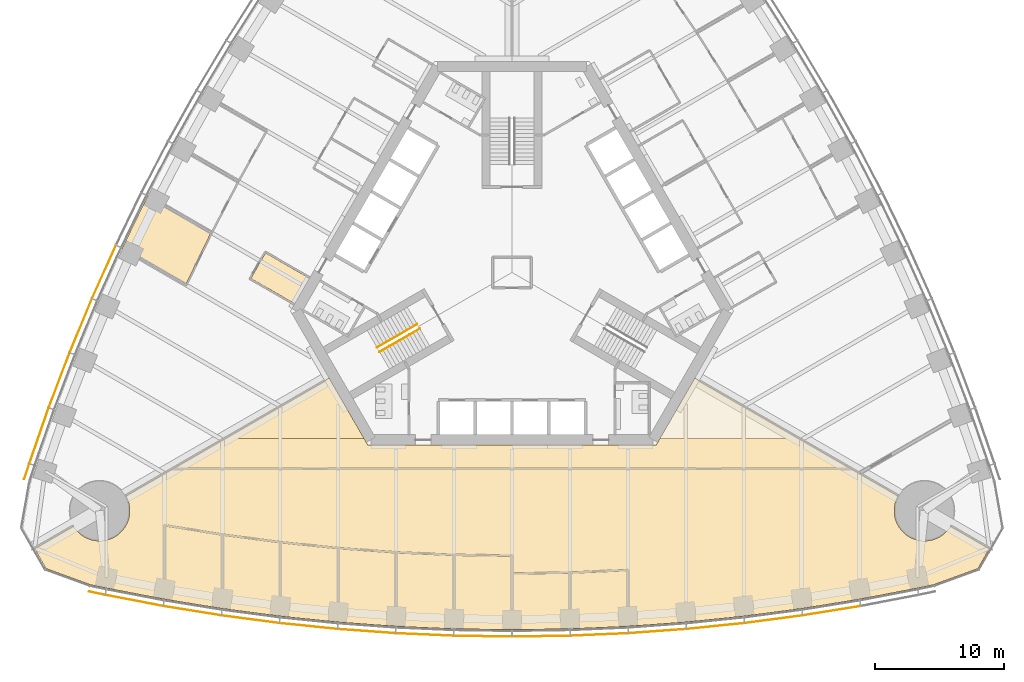
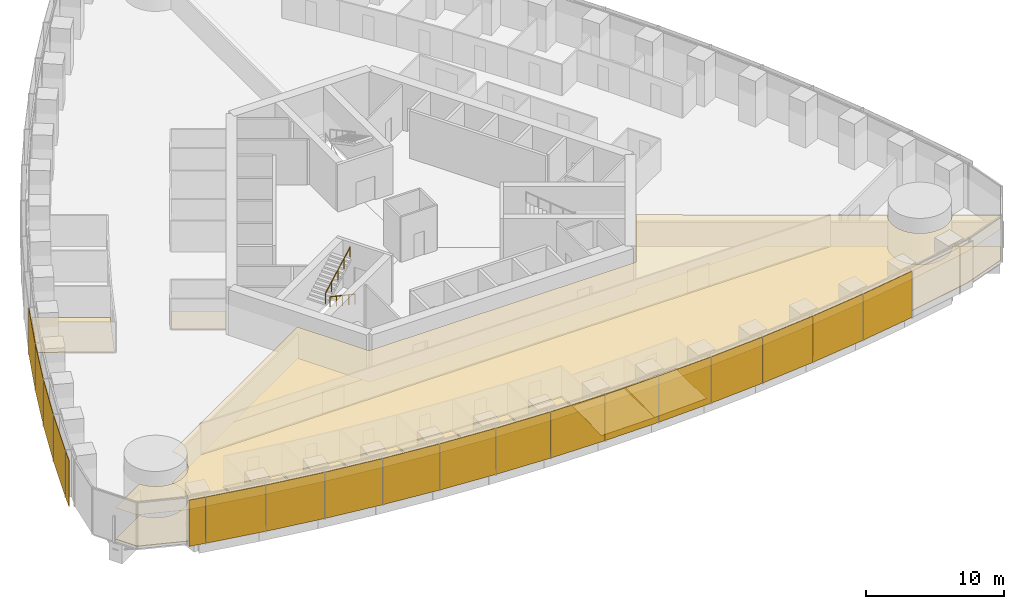
# One storey, part 14 of 18: 19 shading devices, 14 coverings, 2 railings.
"""IFC4 building model written with IfcOpenShell, lengths in metres."""

from ifc_helpers import new_model, si_unit, direction, frame, origin, origin_2d, place, context, subcontext, project, spatial, polyline, rectangle, circle, outline, extrude, material, layer, layer_set, type_object, element, save


model = new_model("IFC4")

# Units and contexts
model_context = context("Model", 3, precision=1e-05, world=origin(), true_north=direction((0.0, 1.0)))
body_context = subcontext(model_context, "Body", "Model", "MODEL_VIEW")
ifc_project = project(units=[si_unit("LENGTHUNIT", "METRE"), si_unit("AREAUNIT", "SQUARE_METRE"), si_unit("VOLUMEUNIT", "CUBIC_METRE"), si_unit("PLANEANGLEUNIT", "RADIAN"), si_unit("MASSUNIT", "GRAM", prefix="KILO")], contexts=[model_context])

# Site, building, storey
site_placement = place(None, origin())
site = spatial("IfcSite", under=ifc_project, at=site_placement, CompositionType="ELEMENT")
building_placement = place(site_placement, origin())
building = spatial("IfcBuilding", under=site, at=building_placement, Name="Trefoil Bronze Tower", CompositionType="ELEMENT")
storey_placement = place(building_placement, frame((0.0, 0.0, 33.300048828125)))
storey = spatial("IfcBuildingStorey", under=building, at=storey_placement, Name="L07", CompositionType="ELEMENT", Elevation=33.300048828125)

# Shading devices
ifc_material_1 = material(Name="Perforated bronze sheet", Category="bronze")
ifc_layer_1 = layer(ifc_material_1, 0.0400390625)
ifc_layer_set_1 = layer_set([ifc_layer_1], Name="Bronze solar screen panel")
shading_device_type = type_object("IfcShadingDeviceType", Name="Bronze solar screen panel", PredefinedType="SHUTTER", material=ifc_layer_set_1)
shading_device_1_placement = place(storey_placement, frame((-32.2431640625, -24.91064453125, 0.0498046875), z_axis=(0.0, 0.0, 1.0), x_axis=(0.978302717041, -0.207180582657, 0.0)))
element("IfcShadingDevice", 1, at=shading_device_1_placement, inside=storey, type_object=shading_device_type, Name="Solar screen CW-A L07 F1 bay 1", PredefinedType="SHUTTER", context=body_context, shape_type="SweptSolid", body=[
    extrude(rectangle(XDim=1.260498046875, YDim=0.0400390625, at=origin_2d()), origin(), (0.0, 0.0, 1.0), 4.10009765625),
])
shading_device_2_placement = place(storey_placement, frame((-29.351806640625, -25.478515625, 0.0498046875), z_axis=(0.0, 0.0, 1.0), x_axis=(0.982049823817, -0.188621694249, 0.0)))
element("IfcShadingDevice", 2, at=shading_device_2_placement, inside=storey, type_object=shading_device_type, Name="Solar screen CW-A L07 F1 bay 2", PredefinedType="SHUTTER", context=body_context, shape_type="SweptSolid", body=[
    extrude(rectangle(XDim=4.55224609375, YDim=0.0400390625, at=origin_2d()), origin(), (0.0, 0.0, 1.0), 4.10009765625),
])
shading_device_3_placement = place(storey_placement, frame((-24.836181640625, -26.277099609375, 0.0498046875), z_axis=(0.0, 0.0, 1.0), x_axis=(0.987181315145, -0.159602791421, 0.0)))
element("IfcShadingDevice", 3, at=shading_device_3_placement, inside=storey, type_object=shading_device_type, Name="Solar screen CW-A L07 F1 bay 3", PredefinedType="SHUTTER", context=body_context, shape_type="SweptSolid", body=[
    extrude(rectangle(XDim=4.5283203125, YDim=0.0400390625, at=origin_2d()), origin(), (0.0, 0.0, 1.0), 4.10009765625),
])
shading_device_4_placement = place(storey_placement, frame((-20.320556640625, -26.939697265625, 0.0498046875), z_axis=(0.0, 0.0, 1.0), x_axis=(0.991437251591, -0.130583981243, 0.0)))
element("IfcShadingDevice", 4, at=shading_device_4_placement, inside=storey, type_object=shading_device_type, Name="Solar screen CW-A L07 F1 bay 4", PredefinedType="SHUTTER", context=body_context, shape_type="SweptSolid", body=[
    extrude(rectangle(XDim=4.5087890625, YDim=0.0400390625, at=origin_2d()), origin(), (0.0, 0.0, 1.0), 4.10009765625),
])
shading_device_5_placement = place(storey_placement, frame((-15.804931640625, -27.467529296875, 0.0498046875), z_axis=(0.0, 0.0, 1.0), x_axis=(0.994828880293, -0.101565244717, 0.0)))
element("IfcShadingDevice", 5, at=shading_device_5_placement, inside=storey, type_object=shading_device_type, Name="Solar screen CW-A L07 F1 bay 5", PredefinedType="SHUTTER", context=body_context, shape_type="SweptSolid", body=[
    extrude(rectangle(XDim=4.493408203125, YDim=0.0400390625, at=origin_2d()), origin(), (0.0, 0.0, 1.0), 4.10009765625),
])
shading_device_6_placement = place(storey_placement, frame((-11.2890625, -27.8623046875, 0.0498046875), z_axis=(0.0, 0.0, 1.0), x_axis=(0.99736502647, -0.072546564177, 0.0)))
element("IfcShadingDevice", 6, at=shading_device_6_placement, inside=storey, type_object=shading_device_type, Name="Solar screen CW-A L07 F1 bay 6", PredefinedType="SHUTTER", context=body_context, shape_type="SweptSolid", body=[
    extrude(rectangle(XDim=4.48193359375, YDim=0.0400390625, at=origin_2d()), origin(), (0.0, 0.0, 1.0), 4.10009765625),
])
shading_device_7_placement = place(storey_placement, frame((-6.7734375, -28.124755859375, 0.0498046875), z_axis=(0.0, 0.0, 1.0), x_axis=(0.999052210809, -0.043527922969, 0.0)))
element("IfcShadingDevice", 7, at=shading_device_7_placement, inside=storey, type_object=shading_device_type, Name="Solar screen CW-A L07 F1 bay 7", PredefinedType="SHUTTER", context=body_context, shape_type="SweptSolid", body=[
    extrude(rectangle(XDim=4.474365234375, YDim=0.0400390625, at=origin_2d()), origin(), (0.0, 0.0, 1.0), 4.10009765625),
])
for number, where, z_axis, x_axis, name in (
    (8, (-2.2578125, -28.256103515625, 0.0498046875), (0.0, 0.0, 1.0), (0.999894734493, -0.014509305083, 0.0), "Solar screen CW-A L07 F1 bay 8"),
    (9, (2.2578125, -28.256103515625, 0.0498046875), (0.0, 0.0, 1.0), (0.999894734493, 0.014509305083, 0.0), "Solar screen CW-A L07 F1 bay 9"),
):
    element("IfcShadingDevice", number, at=place(storey_placement, frame(where, z_axis=z_axis, x_axis=x_axis)), inside=storey, type_object=shading_device_type, Name=name, PredefinedType="SHUTTER", context=body_context, shape_type="SweptSolid", body=[
        extrude(rectangle(XDim=4.470458984375, YDim=0.0400390625, at=origin_2d()), origin(), (0.0, 0.0, 1.0), 4.10009765625),
    ])
shading_device_8_placement = place(storey_placement, frame((6.7734375, -28.124755859375, 0.0498046875), z_axis=(0.0, 0.0, 1.0), x_axis=(0.999052210809, 0.043527922969, 0.0)))
element("IfcShadingDevice", 10, at=shading_device_8_placement, inside=storey, type_object=shading_device_type, Name="Solar screen CW-A L07 F1 bay 10", PredefinedType="SHUTTER", context=body_context, shape_type="SweptSolid", body=[
    extrude(rectangle(XDim=4.474365234375, YDim=0.0400390625, at=origin_2d()), origin(), (0.0, 0.0, 1.0), 4.10009765625),
])
shading_device_9_placement = place(storey_placement, frame((11.2890625, -27.8623046875, 0.0498046875), z_axis=(0.0, 0.0, 1.0), x_axis=(0.99736502647, 0.072546564177, 0.0)))
element("IfcShadingDevice", 11, at=shading_device_9_placement, inside=storey, type_object=shading_device_type, Name="Solar screen CW-A L07 F1 bay 11", PredefinedType="SHUTTER", context=body_context, shape_type="SweptSolid", body=[
    extrude(rectangle(XDim=4.48193359375, YDim=0.0400390625, at=origin_2d()), origin(), (0.0, 0.0, 1.0), 4.10009765625),
])
shading_device_10_placement = place(storey_placement, frame((15.804931640625, -27.467529296875, 0.0498046875), z_axis=(0.0, 0.0, 1.0), x_axis=(0.994828880293, 0.101565244717, 0.0)))
element("IfcShadingDevice", 12, at=shading_device_10_placement, inside=storey, type_object=shading_device_type, Name="Solar screen CW-A L07 F1 bay 12", PredefinedType="SHUTTER", context=body_context, shape_type="SweptSolid", body=[
    extrude(rectangle(XDim=4.493408203125, YDim=0.0400390625, at=origin_2d()), origin(), (0.0, 0.0, 1.0), 4.10009765625),
])
shading_device_11_placement = place(storey_placement, frame((20.320556640625, -26.939697265625, 0.0498046875), z_axis=(0.0, 0.0, 1.0), x_axis=(0.991437251591, 0.130583981243, 0.0)))
element("IfcShadingDevice", 13, at=shading_device_11_placement, inside=storey, type_object=shading_device_type, Name="Solar screen CW-A L07 F1 bay 13", PredefinedType="SHUTTER", context=body_context, shape_type="SweptSolid", body=[
    extrude(rectangle(XDim=4.5087890625, YDim=0.0400390625, at=origin_2d()), origin(), (0.0, 0.0, 1.0), 4.10009765625),
])
shading_device_12_placement = place(storey_placement, frame((24.836181640625, -26.277099609375, 0.0498046875), z_axis=(0.0, 0.0, 1.0), x_axis=(0.987181315145, 0.159602791421, 0.0)))
element("IfcShadingDevice", 14, at=shading_device_12_placement, inside=storey, type_object=shading_device_type, Name="Solar screen CW-A L07 F1 bay 14", PredefinedType="SHUTTER", context=body_context, shape_type="SweptSolid", body=[
    extrude(rectangle(XDim=4.5283203125, YDim=0.0400390625, at=origin_2d()), origin(), (0.0, 0.0, 1.0), 4.10009765625),
])
shading_device_13_placement = place(storey_placement, frame((-31.68994140625, 0.04638671875, 0.0498046875), z_axis=(0.0, 0.0, 1.0), x_axis=(-0.40945635808, -0.912329705111, 0.0)))
element("IfcShadingDevice", 15, at=shading_device_13_placement, inside=storey, type_object=shading_device_type, Name="Solar screen CW-A L07 F3 bay 12", PredefinedType="SHUTTER", context=body_context, shape_type="SweptSolid", body=[
    extrude(rectangle(XDim=4.493408203125, YDim=0.0400390625, at=origin_2d()), origin(), (0.0, 0.0, 1.0), 4.10009765625),
])
shading_device_14_placement = place(storey_placement, frame((-33.49072265625, -4.128173828125, 0.0498046875), z_axis=(0.0, 0.0, 1.0), x_axis=(-0.382629580712, -0.923901836758, 0.0)))
element("IfcShadingDevice", 16, at=shading_device_14_placement, inside=storey, type_object=shading_device_type, Name="Solar screen CW-A L07 F3 bay 13", PredefinedType="SHUTTER", context=body_context, shape_type="SweptSolid", body=[
    extrude(rectangle(XDim=4.5087890625, YDim=0.0400390625, at=origin_2d()), origin(), (0.0, 0.0, 1.0), 4.10009765625),
])
shading_device_15_placement = place(storey_placement, frame((-35.1748046875, -8.3701171875, 0.0498046875), z_axis=(0.0, 0.0, 1.0), x_axis=(-0.355370585687, -0.934725492767, 0.0)))
element("IfcShadingDevice", 17, at=shading_device_15_placement, inside=storey, type_object=shading_device_type, Name="Solar screen CW-A L07 F3 bay 14", PredefinedType="SHUTTER", context=body_context, shape_type="SweptSolid", body=[
    extrude(rectangle(XDim=4.5283203125, YDim=0.0400390625, at=origin_2d()), origin(), (0.0, 0.0, 1.0), 4.10009765625),
])
shading_device_16_placement = place(storey_placement, frame((-36.740966796875, -12.68017578125, 0.0498046875), z_axis=(0.0, 0.0, 1.0), x_axis=(-0.327673732984, -0.944790942332, 0.0)))
element("IfcShadingDevice", 18, at=shading_device_16_placement, inside=storey, type_object=shading_device_type, Name="Solar screen CW-A L07 F3 bay 15", PredefinedType="SHUTTER", context=body_context, shape_type="SweptSolid", body=[
    extrude(rectangle(XDim=4.55224609375, YDim=0.0400390625, at=origin_2d()), origin(), (0.0, 0.0, 1.0), 4.10009765625),
])
shading_device_17_placement = place(storey_placement, frame((-37.69482421875, -15.468017578125, 0.0498046875), z_axis=(0.0, 0.0, 1.0), x_axis=(-0.309727710769, -0.950825296877, 0.0)))
element("IfcShadingDevice", 19, at=shading_device_17_placement, inside=storey, type_object=shading_device_type, Name="Solar screen CW-A L07 F3 bay 16", PredefinedType="SHUTTER", context=body_context, shape_type="SweptSolid", body=[
    extrude(rectangle(XDim=1.260498046875, YDim=0.0400390625, at=origin_2d()), origin(), (0.0, 0.0, 1.0), 4.10009765625),
])

# Railings
ifc_material_2 = material(Name="Steel handrail", Category="steel")
railing_type = type_object("IfcRailingType", Name="Handrail 900", PredefinedType="HANDRAIL", material=ifc_material_2)
railing_1_placement = place(storey_placement, frame((-7.166015625, -4.3681640625, 0.161376953125)))
element("IfcRailing", 20, at=railing_1_placement, inside=storey, type_object=railing_type, Name="Handrail ST3 flight 1 L07", PredefinedType="HANDRAIL", context=body_context, shape_type="SweptSolid", body=[
    extrude(circle(Radius=0.02392578125, at=origin_2d()), frame((0.0, 0.0, 0.8759765625), z_axis=(-0.76250339821, -0.440245697338, 0.474101564745), x_axis=(0.500012057535, -0.866018442252, 0.0)), (0.0, 0.0, 1.0), 4.088623046875),
    extrude(circle(Radius=0.02099609375, at=origin_2d()), origin(), (0.0, 0.0, 1.0), 0.851806640625),
    extrude(circle(Radius=0.02099609375, at=origin_2d()), frame((-0.779296875, -0.449951171875, 0.484619140625)), (0.0, 0.0, 1.0), 0.851806640625),
    extrude(circle(Radius=0.02099609375, at=origin_2d()), frame((-1.558837890625, -0.89990234375, 0.96923828125)), (0.0, 0.0, 1.0), 0.851806640625),
    extrude(circle(Radius=0.02099609375, at=origin_2d()), frame((-2.33837890625, -1.35009765625, 1.453857421875)), (0.0, 0.0, 1.0), 0.851806640625),
    extrude(circle(Radius=0.02099609375, at=origin_2d()), frame((-3.11767578125, -1.800048828125, 1.9384765625)), (0.0, 0.0, 1.0), 0.851806640625),
])
railing_2_placement = place(storey_placement, frame((-10.483642578125, -5.82177734375, 2.261474609375)))
element("IfcRailing", 21, at=railing_2_placement, inside=storey, type_object=railing_type, Name="Handrail ST3 flight 2 L07", PredefinedType="HANDRAIL", context=body_context, shape_type="SweptSolid", body=[
    extrude(circle(Radius=0.02392578125, at=origin_2d()), frame((0.0, 0.0, 0.8759765625), z_axis=(0.76250339821, 0.440245697338, 0.474101564745), x_axis=(-0.500012057535, 0.866018442252, 0.0)), (0.0, 0.0, 1.0), 4.088623046875),
    extrude(circle(Radius=0.02099609375, at=origin_2d()), origin(), (0.0, 0.0, 1.0), 0.851806640625),
    extrude(circle(Radius=0.02099609375, at=origin_2d()), frame((0.779296875, 0.449951171875, 0.484619140625)), (0.0, 0.0, 1.0), 0.851806640625),
    extrude(circle(Radius=0.02099609375, at=origin_2d()), frame((1.558837890625, 0.89990234375, 0.96923828125)), (0.0, 0.0, 1.0), 0.851806640625),
    extrude(circle(Radius=0.02099609375, at=origin_2d()), frame((2.33837890625, 1.35009765625, 1.453857421875)), (0.0, 0.0, 1.0), 0.851806640625),
    extrude(circle(Radius=0.02099609375, at=origin_2d()), frame((3.11767578125, 1.800048828125, 1.9384765625)), (0.0, 0.0, 1.0), 0.851806640625),
])

# Coverings
ifc_material_3 = material(Name="Acoustic ceiling panels", Category="mineral fibre")
ifc_layer_2 = layer(ifc_material_3, 0.02001953125)
ifc_layer_set_2 = layer_set([ifc_layer_2], Name="Office ceiling 20")
covering_type_1 = type_object("IfcCoveringType", Name="Office ceiling 20", PredefinedType="CEILING", material=ifc_layer_set_2)
covering_1_placement = place(storey_placement, frame((0.0, 0.0, 2.89990234375)))
element("IfcCovering", 22, at=covering_1_placement, inside=storey, type_object=covering_type_1, Name="Ceiling L07 Open-plan office F1", PredefinedType="CEILING", context=body_context, shape_type="SweptSolid", body=[
    extrude(outline(polyline([(-33.996826171875, -19.8056640625), (-33.930419921875, -19.89990234375), (-33.859619140625, -19.99072265625), (-33.7841796875, -20.078125), (-33.70458984375, -20.16162109375), (-33.62109375, -20.2412109375), (-33.53369140625, -20.316650390625), (-33.44287109375, -20.387451171875), (-33.348388671875, -20.4541015625), (-33.251220703125, -20.515625), (-33.150634765625, -20.572509765625), (-33.047607421875, -20.62451171875), (-32.942138671875, -20.671142578125), (-32.834716796875, -20.712646484375), (-32.72509765625, -20.748779296875), (-32.614013671875, -20.779541015625), (-32.50146484375, -20.8046875), (-32.3876953125, -20.82470703125), (-32.273193359375, -20.838623046875), (-32.158203125, -20.84716796875), (-32.04296875, -20.85009765625), (-31.927490234375, -20.84716796875), (-31.8125, -20.838623046875), (-31.697998046875, -20.82470703125), (-31.58447265625, -20.8046875), (-31.471923828125, -20.779541015625), (-31.36083984375, -20.748779296875), (-31.251220703125, -20.712646484375), (-31.1435546875, -20.671142578125), (-31.0380859375, -20.62451171875), (-30.935302734375, -20.572509765625), (-30.834716796875, -20.515625), (-30.7373046875, -20.4541015625), (-30.64306640625, -20.387451171875), (-30.552001953125, -20.316650390625), (-30.46484375, -20.2412109375), (-30.381103515625, -20.16162109375), (-30.3017578125, -20.078125), (-30.226318359375, -19.99072265625), (-30.155517578125, -19.89990234375), (-30.089111328125, -19.8056640625), (-30.02734375, -19.7080078125), (-29.970458984375, -19.60791015625), (-29.918701171875, -19.5048828125), (-29.871826171875, -19.3994140625), (-29.830322265625, -19.291748046875), (-29.794189453125, -19.18212890625), (-29.763427734375, -19.071044921875), (-29.738037109375, -18.95849609375), (-29.718505859375, -18.8447265625), (-29.704345703125, -18.730224609375), (-29.69580078125, -18.615234375), (-29.69287109375, -18.5), (-29.69580078125, -18.384765625), (-29.704345703125, -18.269775390625), (-29.718505859375, -18.1552734375), (-29.738037109375, -18.04150390625), (-29.763427734375, -17.928955078125), (-29.794189453125, -17.81787109375), (-29.830322265625, -17.708251953125), (-29.871826171875, -17.6005859375), (-29.918701171875, -17.4951171875), (-29.970458984375, -17.39208984375), (-30.001953125, -17.336669921875), (-14.19970703125, -8.205322265625), (-11.20068359375, -13.39990234375), (11.20068359375, -13.39990234375), (14.19970703125, -8.205322265625), (30.001953125, -17.336669921875), (29.970458984375, -17.39208984375), (29.918701171875, -17.4951171875), (29.871826171875, -17.6005859375), (29.830322265625, -17.708251953125), (29.794189453125, -17.81787109375), (29.763427734375, -17.928955078125), (29.738037109375, -18.04150390625), (29.718505859375, -18.1552734375), (29.704345703125, -18.269775390625), (29.69580078125, -18.384765625), (29.69287109375, -18.5), (29.69580078125, -18.615234375), (29.704345703125, -18.730224609375), (29.718505859375, -18.8447265625), (29.738037109375, -18.95849609375), (29.763427734375, -19.071044921875), (29.794189453125, -19.18212890625), (29.830322265625, -19.291748046875), (29.871826171875, -19.3994140625), (29.918701171875, -19.5048828125), (29.970458984375, -19.60791015625), (30.02734375, -19.7080078125), (30.089111328125, -19.8056640625), (30.155517578125, -19.89990234375), (30.226318359375, -19.99072265625), (30.3017578125, -20.078125), (30.381103515625, -20.16162109375), (30.46484375, -20.2412109375), (30.552001953125, -20.316650390625), (30.64306640625, -20.387451171875), (30.7373046875, -20.4541015625), (30.834716796875, -20.515625), (30.935302734375, -20.572509765625), (31.0380859375, -20.62451171875), (31.1435546875, -20.671142578125), (31.251220703125, -20.712646484375), (31.36083984375, -20.748779296875), (31.471923828125, -20.779541015625), (31.58447265625, -20.8046875), (31.697998046875, -20.82470703125), (31.8125, -20.838623046875), (31.927490234375, -20.84716796875), (32.04296875, -20.85009765625), (32.158203125, -20.84716796875), (32.273193359375, -20.838623046875), (32.3876953125, -20.82470703125), (32.50146484375, -20.8046875), (32.614013671875, -20.779541015625), (32.72509765625, -20.748779296875), (32.834716796875, -20.712646484375), (32.942138671875, -20.671142578125), (33.047607421875, -20.62451171875), (33.150634765625, -20.572509765625), (33.251220703125, -20.515625), (33.348388671875, -20.4541015625), (33.44287109375, -20.387451171875), (33.53369140625, -20.316650390625), (33.62109375, -20.2412109375), (33.70458984375, -20.16162109375), (33.7841796875, -20.078125), (33.859619140625, -19.99072265625), (33.930419921875, -19.89990234375), (33.996826171875, -19.8056640625), (34.0703125, -19.6875), (37.094482421875, -21.43505859375), (36.190673828125, -23.0009765625), (32.762451171875, -24.248779296875), (31.5, -24.51611328125), (27.0, -25.38037109375), (22.5, -26.10791015625), (18.0, -26.70068359375), (13.5, -27.159912109375), (9.0, -27.4873046875), (4.5, -27.683349609375), (0.0, -27.748779296875), (-4.5, -27.683349609375), (-9.0, -27.4873046875), (-13.5, -27.159912109375), (-18.0, -26.70068359375), (-22.5, -26.10791015625), (-27.0, -25.38037109375), (-31.5, -24.51611328125), (-32.762451171875, -24.248779296875), (-36.190673828125, -23.0009765625), (-37.094482421875, -21.43505859375), (-34.0703125, -19.6875), (-33.996826171875, -19.8056640625)])), origin(), (0.0, 0.0, 1.0), 0.02001953125),
])
ifc_material_4 = material(Name="Raised access floor panels", Category="steel")
ifc_layer_3 = layer(ifc_material_4, 0.050048828125)
ifc_layer_set_3 = layer_set([ifc_layer_3], Name="Raised access floor 150")
covering_type_2 = type_object("IfcCoveringType", Name="Raised access floor 150", PredefinedType="FLOORING", material=ifc_layer_set_3)
covering_2_placement = place(storey_placement, frame((0.0, 0.0, 0.099853515625)))
element("IfcCovering", 23, at=covering_2_placement, inside=storey, type_object=covering_type_2, Name="Raised floor L07 Office F1", PredefinedType="FLOORING", context=body_context, shape_type="SweptSolid", body=[
    extrude(outline(polyline([(-22.5, -26.10791015625), (-27.0, -25.38037109375), (-27.0, -23.77587890625), (-26.93994140625, -23.77587890625), (-26.93994140625, -19.70068359375), (-22.56005859375, -20.408935546875), (-22.56005859375, -24.510986328125), (-22.5, -24.510986328125), (-22.5, -26.10791015625)])), origin(), (0.0, 0.0, 1.0), 0.050048828125),
])
covering_3_placement = place(storey_placement, frame((0.0, 0.0, 0.099853515625)))
element("IfcCovering", 24, at=covering_3_placement, inside=storey, type_object=covering_type_2, Name="Raised floor L07 Office F1", PredefinedType="FLOORING", context=body_context, shape_type="SweptSolid", body=[
    extrude(outline(polyline([(-18.0, -26.70068359375), (-22.5, -26.10791015625), (-22.5, -24.510986328125), (-22.43994140625, -24.510986328125), (-22.43994140625, -20.42626953125), (-18.06005859375, -21.003173828125), (-18.06005859375, -25.10986328125), (-18.0, -25.10986328125), (-18.0, -26.70068359375)])), origin(), (0.0, 0.0, 1.0), 0.050048828125),
])
covering_4_placement = place(storey_placement, frame((0.0, 0.0, 0.099853515625)))
element("IfcCovering", 25, at=covering_4_placement, inside=storey, type_object=covering_type_2, Name="Raised floor L07 Office F1", PredefinedType="FLOORING", context=body_context, shape_type="SweptSolid", body=[
    extrude(outline(polyline([(-13.5, -27.159912109375), (-18.0, -26.70068359375), (-18.0, -25.10986328125), (-17.93994140625, -25.10986328125), (-17.93994140625, -21.01708984375), (-13.56005859375, -21.464111328125), (-13.56005859375, -25.573974609375), (-13.5, -25.573974609375), (-13.5, -27.159912109375)])), origin(), (0.0, 0.0, 1.0), 0.050048828125),
])
covering_5_placement = place(storey_placement, frame((0.0, 0.0, 0.099853515625)))
element("IfcCovering", 26, at=covering_5_placement, inside=storey, type_object=covering_type_2, Name="Raised floor L07 Office F1", PredefinedType="FLOORING", context=body_context, shape_type="SweptSolid", body=[
    extrude(outline(polyline([(-9.0, -27.4873046875), (-13.5, -27.159912109375), (-13.5, -25.573974609375), (-13.43994140625, -25.573974609375), (-13.43994140625, -21.474609375), (-9.06005859375, -21.793212890625), (-9.06005859375, -25.90478515625), (-9.0, -25.90478515625), (-9.0, -27.4873046875)])), origin(), (0.0, 0.0, 1.0), 0.050048828125),
])
covering_6_placement = place(storey_placement, frame((0.0, 0.0, 0.099853515625)))
element("IfcCovering", 27, at=covering_6_placement, inside=storey, type_object=covering_type_2, Name="Raised floor L07 Meeting room F1", PredefinedType="FLOORING", context=body_context, shape_type="SweptSolid", body=[
    extrude(outline(polyline([(-4.5, -27.683349609375), (-9.0, -27.4873046875), (-9.0, -25.90478515625), (-8.93994140625, -25.90478515625), (-8.93994140625, -21.800048828125), (-4.56005859375, -21.990966796875), (-4.56005859375, -26.102783203125), (-4.5, -26.102783203125), (-4.5, -27.683349609375)])), origin(), (0.0, 0.0, 1.0), 0.050048828125),
])
covering_7_placement = place(storey_placement, frame((0.0, 0.0, 0.099853515625)))
element("IfcCovering", 28, at=covering_7_placement, inside=storey, type_object=covering_type_2, Name="Raised floor L07 Meeting room F1", PredefinedType="FLOORING", context=body_context, shape_type="SweptSolid", body=[
    extrude(outline(polyline([(0.0, -27.748779296875), (-4.5, -27.683349609375), (-4.5, -26.102783203125), (-4.43994140625, -26.102783203125), (-4.43994140625, -21.994384765625), (-0.06005859375, -22.057861328125), (-0.06005859375, -26.168701171875), (0.0, -26.168701171875), (0.0, -27.748779296875)])), origin(), (0.0, 0.0, 1.0), 0.050048828125),
])
covering_8_placement = place(storey_placement, frame((0.0, 0.0, 0.099853515625)))
element("IfcCovering", 29, at=covering_8_placement, inside=storey, type_object=covering_type_2, Name="Raised floor L07 Pantry F1", PredefinedType="FLOORING", context=body_context, shape_type="SweptSolid", body=[
    extrude(outline(polyline([(4.5, -27.683349609375), (0.0, -27.748779296875), (0.0, -26.168701171875), (0.06005859375, -26.168701171875), (0.06005859375, -23.437744140625), (4.43994140625, -23.374267578125), (4.43994140625, -26.102783203125), (4.5, -26.102783203125), (4.5, -27.683349609375)])), origin(), (0.0, 0.0, 1.0), 0.050048828125),
])
covering_9_placement = place(storey_placement, frame((0.0, 0.0, 0.099853515625)))
element("IfcCovering", 30, at=covering_9_placement, inside=storey, type_object=covering_type_2, Name="Raised floor L07 Pantry F1", PredefinedType="FLOORING", context=body_context, shape_type="SweptSolid", body=[
    extrude(outline(polyline([(9.0, -27.4873046875), (4.5, -27.683349609375), (4.5, -26.102783203125), (4.56005859375, -26.102783203125), (4.56005859375, -23.370849609375), (8.93994140625, -23.179931640625), (8.93994140625, -25.90478515625), (9.0, -25.90478515625), (9.0, -27.4873046875)])), origin(), (0.0, 0.0, 1.0), 0.050048828125),
])
covering_10_placement = place(storey_placement, frame((0.0, 0.0, 0.099853515625)))
element("IfcCovering", 31, at=covering_10_placement, inside=storey, type_object=covering_type_2, Name="Raised floor L07 Corridor F1", PredefinedType="FLOORING", context=body_context, shape_type="SweptSolid", body=[
    extrude(outline(polyline([(-26.304443359375, -15.199951171875), (-22.32421875, -12.89990234375), (-11.4892578125, -12.89990234375), (-11.20068359375, -13.39990234375), (11.20068359375, -13.39990234375), (11.4892578125, -12.89990234375), (22.32421875, -12.89990234375), (26.304443359375, -15.199951171875), (-26.304443359375, -15.199951171875)])), origin(), (0.0, 0.0, 1.0), 0.050048828125),
])
covering_11_placement = place(storey_placement, frame((0.0, 0.0, 0.099853515625)))
element("IfcCovering", 32, at=covering_11_placement, inside=storey, type_object=covering_type_2, Name="Raised floor L07 Open-plan office F1", PredefinedType="FLOORING", context=body_context, shape_type="SweptSolid", body=[
    extrude(outline(polyline([(-22.32421875, -12.89990234375), (-14.19970703125, -8.205322265625), (-11.4892578125, -12.89990234375), (-22.32421875, -12.89990234375)])), origin(), (0.0, 0.0, 1.0), 0.050048828125),
])
covering_12_placement = place(storey_placement, frame((0.0, 0.0, 0.099853515625)))
element("IfcCovering", 33, at=covering_12_placement, inside=storey, type_object=covering_type_2, Name="Raised floor L07 Open-plan office F1", PredefinedType="FLOORING", context=body_context, shape_type="SweptSolid", body=[
    extrude(outline(polyline([(-26.398193359375, -15.254150390625), (-26.398193359375, -15.320068359375), (26.398193359375, -15.320068359375), (26.398193359375, -15.254150390625), (30.001953125, -17.336669921875), (29.970458984375, -17.39208984375), (29.918701171875, -17.4951171875), (29.871826171875, -17.6005859375), (29.830322265625, -17.708251953125), (29.794189453125, -17.81787109375), (29.763427734375, -17.928955078125), (29.738037109375, -18.04150390625), (29.718505859375, -18.1552734375), (29.704345703125, -18.269775390625), (29.69580078125, -18.384765625), (29.69287109375, -18.5), (29.69580078125, -18.615234375), (29.704345703125, -18.730224609375), (29.718505859375, -18.8447265625), (29.738037109375, -18.95849609375), (29.763427734375, -19.071044921875), (29.794189453125, -19.18212890625), (29.830322265625, -19.291748046875), (29.871826171875, -19.3994140625), (29.918701171875, -19.5048828125), (29.970458984375, -19.60791015625), (30.02734375, -19.7080078125), (30.089111328125, -19.8056640625), (30.155517578125, -19.89990234375), (30.226318359375, -19.99072265625), (30.3017578125, -20.078125), (30.381103515625, -20.16162109375), (30.46484375, -20.2412109375), (30.552001953125, -20.316650390625), (30.64306640625, -20.387451171875), (30.7373046875, -20.4541015625), (30.834716796875, -20.515625), (30.935302734375, -20.572509765625), (31.0380859375, -20.62451171875), (31.1435546875, -20.671142578125), (31.251220703125, -20.712646484375), (31.36083984375, -20.748779296875), (31.471923828125, -20.779541015625), (31.58447265625, -20.8046875), (31.697998046875, -20.82470703125), (31.8125, -20.838623046875), (31.927490234375, -20.84716796875), (32.04296875, -20.85009765625), (32.158203125, -20.84716796875), (32.273193359375, -20.838623046875), (32.3876953125, -20.82470703125), (32.50146484375, -20.8046875), (32.614013671875, -20.779541015625), (32.72509765625, -20.748779296875), (32.834716796875, -20.712646484375), (32.942138671875, -20.671142578125), (33.047607421875, -20.62451171875), (33.150634765625, -20.572509765625), (33.251220703125, -20.515625), (33.348388671875, -20.4541015625), (33.44287109375, -20.387451171875), (33.53369140625, -20.316650390625), (33.62109375, -20.2412109375), (33.70458984375, -20.16162109375), (33.7841796875, -20.078125), (33.859619140625, -19.99072265625), (33.930419921875, -19.89990234375), (33.996826171875, -19.8056640625), (34.0703125, -19.6875), (37.094482421875, -21.43505859375), (36.190673828125, -23.0009765625), (32.762451171875, -24.248779296875), (31.5, -24.51611328125), (27.0, -25.38037109375), (22.5, -26.10791015625), (18.0, -26.70068359375), (13.5, -27.159912109375), (9.0, -27.4873046875), (9.0, -25.90478515625), (9.06005859375, -25.90478515625), (9.06005859375, -23.117431640625), (9.0, -23.117431640625), (8.997314453125, -23.057373046875), (4.498291015625, -23.25341796875), (0.06005859375, -23.31787109375), (0.06005859375, -21.998779296875), (0.0, -21.998779296875), (0.0009765625, -21.938720703125), (-4.498291015625, -21.873291015625), (-8.99658203125, -21.677490234375), (-13.494873046875, -21.350341796875), (-17.992919921875, -20.89111328125), (-22.4912109375, -20.298583984375), (-26.990478515625, -19.571044921875), (-27.0, -19.63037109375), (-27.06005859375, -19.63037109375), (-27.06005859375, -23.77587890625), (-27.0, -23.77587890625), (-27.0, -25.38037109375), (-31.5, -24.51611328125), (-32.762451171875, -24.248779296875), (-36.190673828125, -23.0009765625), (-37.094482421875, -21.43505859375), (-34.0703125, -19.6875), (-33.996826171875, -19.8056640625), (-33.930419921875, -19.89990234375), (-33.859619140625, -19.99072265625), (-33.7841796875, -20.078125), (-33.70458984375, -20.16162109375), (-33.62109375, -20.2412109375), (-33.53369140625, -20.316650390625), (-33.44287109375, -20.387451171875), (-33.348388671875, -20.4541015625), (-33.251220703125, -20.515625), (-33.150634765625, -20.572509765625), (-33.047607421875, -20.62451171875), (-32.942138671875, -20.671142578125), (-32.834716796875, -20.712646484375), (-32.72509765625, -20.748779296875), (-32.614013671875, -20.779541015625), (-32.50146484375, -20.8046875), (-32.3876953125, -20.82470703125), (-32.273193359375, -20.838623046875), (-32.158203125, -20.84716796875), (-32.04296875, -20.85009765625), (-31.927490234375, -20.84716796875), (-31.8125, -20.838623046875), (-31.697998046875, -20.82470703125), (-31.58447265625, -20.8046875), (-31.471923828125, -20.779541015625), (-31.36083984375, -20.748779296875), (-31.251220703125, -20.712646484375), (-31.1435546875, -20.671142578125), (-31.0380859375, -20.62451171875), (-30.935302734375, -20.572509765625), (-30.834716796875, -20.515625), (-30.7373046875, -20.4541015625), (-30.64306640625, -20.387451171875), (-30.552001953125, -20.316650390625), (-30.46484375, -20.2412109375), (-30.381103515625, -20.16162109375), (-30.3017578125, -20.078125), (-30.226318359375, -19.99072265625), (-30.155517578125, -19.89990234375), (-30.089111328125, -19.8056640625), (-30.02734375, -19.7080078125), (-29.970458984375, -19.60791015625), (-29.918701171875, -19.5048828125), (-29.871826171875, -19.3994140625), (-29.830322265625, -19.291748046875), (-29.794189453125, -19.18212890625), (-29.763427734375, -19.071044921875), (-29.738037109375, -18.95849609375), (-29.718505859375, -18.8447265625), (-29.704345703125, -18.730224609375), (-29.69580078125, -18.615234375), (-29.69287109375, -18.5), (-29.69580078125, -18.384765625), (-29.704345703125, -18.269775390625), (-29.718505859375, -18.1552734375), (-29.738037109375, -18.04150390625), (-29.763427734375, -17.928955078125), (-29.794189453125, -17.81787109375), (-29.830322265625, -17.708251953125), (-29.871826171875, -17.6005859375), (-29.918701171875, -17.4951171875), (-29.970458984375, -17.39208984375), (-30.001953125, -17.336669921875), (-26.398193359375, -15.254150390625)])), origin(), (0.0, 0.0, 1.0), 0.050048828125),
])
covering_13_placement = place(storey_placement, frame((0.0, 0.0, 0.099853515625)))
element("IfcCovering", 34, at=covering_13_placement, inside=storey, type_object=covering_type_2, Name="Raised floor L07 Store F3", PredefinedType="FLOORING", context=body_context, shape_type="SweptSolid", body=[
    extrude(outline(polyline([(-16.874755859375, -2.427978515625), (-20.286865234375, -0.4580078125), (-19.14697265625, 1.5166015625), (-15.734619140625, -0.453369140625), (-16.874755859375, -2.427978515625)])), origin(), (0.0, 0.0, 1.0), 0.050048828125),
])
covering_14_placement = place(storey_placement, frame((0.0, 0.0, 0.099853515625)))
element("IfcCovering", 35, at=covering_14_placement, inside=storey, type_object=covering_type_2, Name="Raised floor L07 Meeting room F3", PredefinedType="FLOORING", context=body_context, shape_type="SweptSolid", body=[
    extrude(outline(polyline([(-30.271240234375, 1.888671875), (-28.3046875, 5.949462890625), (-26.93408203125, 5.158203125), (-26.964111328125, 5.106201171875), (-23.4033203125, 3.05029296875), (-25.3173828125, -0.902099609375), (-28.867919921875, 1.147705078125), (-28.897705078125, 1.095703125), (-30.271240234375, 1.888671875)])), origin(), (0.0, 0.0, 1.0), 0.050048828125),
])

save(model, "model.ifc")
